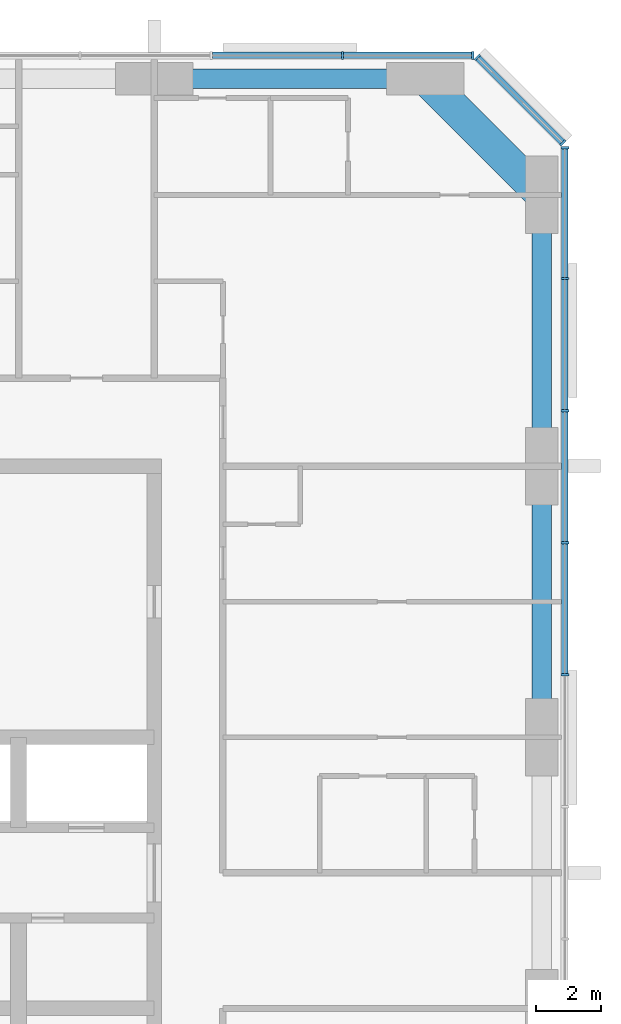
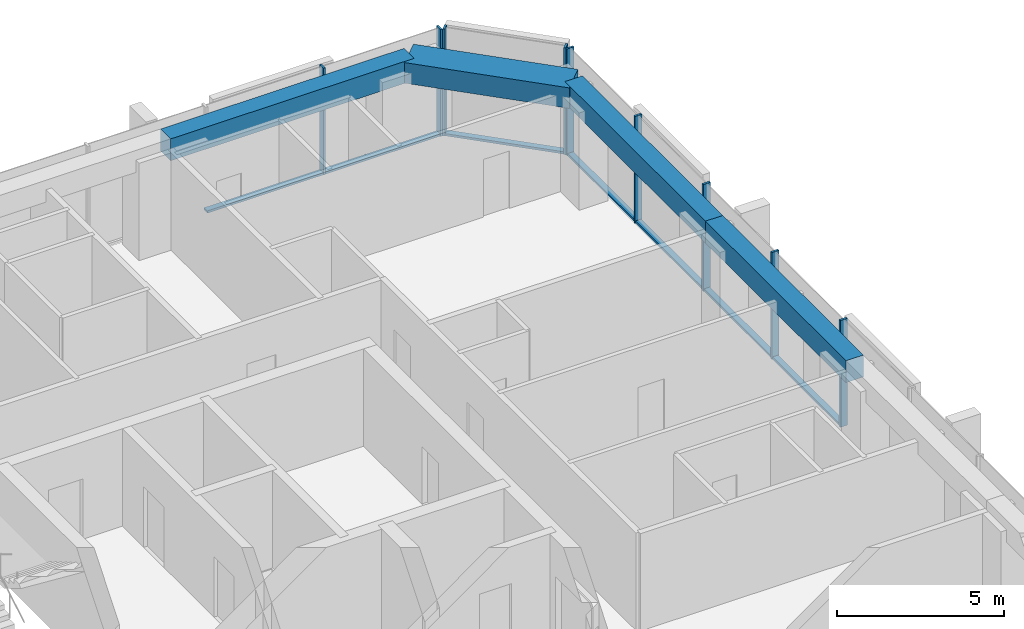
# One storey, part 5 of 12: 16 members, 4 beams, 3 elements without a shape of their own.
"""IFC4 building model written with IfcOpenShell, lengths in metres."""

from ifc_helpers import new_model, si_unit, direction, frame, origin, origin_2d, place, context, subcontext, project, spatial, rectangle, extrude, material, material_profile, profile_set, type_object, element, aggregate, save


model = new_model("IFC4")

# Units and contexts
model_context = context("Model", 3, precision=1e-05, world=origin(), true_north=direction((0.0, 1.0)))
body_context = subcontext(model_context, "Body", "Model", "MODEL_VIEW")
ifc_project = project(units=[si_unit("LENGTHUNIT", "METRE"), si_unit("AREAUNIT", "SQUARE_METRE"), si_unit("VOLUMEUNIT", "CUBIC_METRE"), si_unit("PLANEANGLEUNIT", "RADIAN"), si_unit("MASSUNIT", "GRAM", prefix="KILO")], contexts=[model_context])

# Site, building, storey
site_placement = place(None, origin())
site = spatial("IfcSite", under=ifc_project, at=site_placement, CompositionType="ELEMENT")
building_placement = place(site_placement, origin())
building = spatial("IfcBuilding", under=site, at=building_placement, Name="Dunama Terrace Hotel", CompositionType="ELEMENT")
storey_placement = place(building_placement, frame((0.0, 0.0, 249.0)))
storey = spatial("IfcBuildingStorey", under=building, at=storey_placement, Name="L64", CompositionType="ELEMENT", Elevation=249.0)

# Curtain wall, members
ifc_material_1 = material(Name="Aluminium curtain wall system", Category="aluminium")
curtain_wall_type = type_object("IfcCurtainWallType", Name="Unitised fritted glass wall CW-D", PredefinedType="NOTDEFINED", material=ifc_material_1)
curtain_wall_1_placement = place(storey_placement, origin())
curtain_wall_1 = element("IfcCurtainWall", 1, at=curtain_wall_1_placement, inside=storey, type_object=curtain_wall_type, Name="Unitised fritted glass wall CW-D L64", PredefinedType="NOTDEFINED")
ifc_material_2 = material(Name="Aluminium mullion", Category="aluminium")
ifc_material_profile_1 = material_profile(ifc_material_2, rectangle(XDim=0.070068359375, YDim=0.239990234375, at=origin_2d()), Name="CWD MULLION 70X240")
ifc_profile_set_1 = profile_set([ifc_material_profile_1], Name="Aluminium mullion")
member_type_1 = type_object("IfcMemberType", Name="CWD mullion 70x240", PredefinedType="MULLION", material=ifc_profile_set_1)
member_1_placement = place(storey_placement, frame((54.719970703125, 35.535888671875, 0.0), z_axis=(0.0, 0.0, 1.0), x_axis=(0.0, 1.0, 0.0)))
member_1 = element("IfcMember", 2, at=member_1_placement, type_object=member_type_1, Name="CWD mullion", PredefinedType="MULLION", context=body_context, shape_type="SweptSolid", body=[
    extrude(rectangle(XDim=0.070068359375, YDim=0.239990234375, at=origin_2d()), origin(), (0.0, 0.0, 1.0), 3.89990234375),
])
member_2_placement = place(storey_placement, frame((54.719970703125, 39.626953125, 0.0), z_axis=(0.0, 0.0, 1.0), x_axis=(0.0, 1.0, 0.0)))
member_2 = element("IfcMember", 3, at=member_2_placement, type_object=member_type_1, Name="CWD mullion", PredefinedType="MULLION", context=body_context, shape_type="SweptSolid", body=[
    extrude(rectangle(XDim=0.070068359375, YDim=0.239990234375, at=origin_2d()), origin(), (0.0, 0.0, 1.0), 3.89990234375),
])
member_3_placement = place(storey_placement, frame((54.719970703125, 43.718017578125, 0.0), z_axis=(0.0, 0.0, 1.0), x_axis=(0.0, 1.0, 0.0)))
member_3 = element("IfcMember", 4, at=member_3_placement, type_object=member_type_1, Name="CWD mullion", PredefinedType="MULLION", context=body_context, shape_type="SweptSolid", body=[
    extrude(rectangle(XDim=0.070068359375, YDim=0.239990234375, at=origin_2d()), origin(), (0.0, 0.0, 1.0), 3.89990234375),
])
member_4_placement = place(storey_placement, frame((54.719970703125, 47.80908203125, 0.0), z_axis=(0.0, 0.0, 1.0), x_axis=(0.0, 1.0, 0.0)))
member_4 = element("IfcMember", 5, at=member_4_placement, type_object=member_type_1, Name="CWD mullion", PredefinedType="MULLION", context=body_context, shape_type="SweptSolid", body=[
    extrude(rectangle(XDim=0.070068359375, YDim=0.239990234375, at=origin_2d()), origin(), (0.0, 0.0, 1.0), 3.89990234375),
])
member_5_placement = place(storey_placement, frame((54.719970703125, 51.864990234375, 0.0), z_axis=(0.0, 0.0, 1.0), x_axis=(0.0, 1.0, 0.0)))
member_5 = element("IfcMember", 6, at=member_5_placement, type_object=member_type_1, Name="CWD mullion", PredefinedType="MULLION", context=body_context, shape_type="SweptSolid", body=[
    extrude(rectangle(XDim=0.070068359375, YDim=0.239990234375, at=origin_2d()), origin(), (0.0, 0.0, 1.0), 3.89990234375),
])

curtain_wall_2_placement = place(storey_placement, origin())
curtain_wall_2 = element("IfcCurtainWall", 7, at=curtain_wall_2_placement, inside=storey, type_object=curtain_wall_type, Name="Unitised fritted glass wall CW-D L64", PredefinedType="NOTDEFINED")
member_6_placement = place(storey_placement, frame((54.659912109375, 52.010009765625, 0.0), z_axis=(0.0, 0.0, 1.0), x_axis=(-0.707106781187, 0.707106781187, 0.0)))
member_6 = element("IfcMember", 8, at=member_6_placement, type_object=member_type_1, Name="CWD mullion", PredefinedType="MULLION", context=body_context, shape_type="SweptSolid", body=[
    extrude(rectangle(XDim=0.070068359375, YDim=0.239990234375, at=origin_2d()), origin(), (0.0, 0.0, 1.0), 3.89990234375),
])
member_7_placement = place(storey_placement, frame((52.010009765625, 54.659912109375, 0.0), z_axis=(0.0, 0.0, 1.0), x_axis=(-0.707106781187, 0.707106781187, 0.0)))
member_7 = element("IfcMember", 9, at=member_7_placement, type_object=member_type_1, Name="CWD mullion", PredefinedType="MULLION", context=body_context, shape_type="SweptSolid", body=[
    extrude(rectangle(XDim=0.070068359375, YDim=0.239990234375, at=origin_2d()), origin(), (0.0, 0.0, 1.0), 3.89990234375),
])

curtain_wall_3_placement = place(storey_placement, origin())
curtain_wall_3 = element("IfcCurtainWall", 10, at=curtain_wall_3_placement, inside=storey, type_object=curtain_wall_type, Name="Unitised fritted glass wall CW-D L64", PredefinedType="NOTDEFINED")
member_8_placement = place(storey_placement, frame((51.864990234375, 54.719970703125, 0.0), z_axis=(0.0, 0.0, 1.0), x_axis=(-1.0, 0.0, 0.0)))
member_8 = element("IfcMember", 11, at=member_8_placement, type_object=member_type_1, Name="CWD mullion", PredefinedType="MULLION", context=body_context, shape_type="SweptSolid", body=[
    extrude(rectangle(XDim=0.070068359375, YDim=0.239990234375, at=origin_2d()), origin(), (0.0, 0.0, 1.0), 3.89990234375),
])
member_9_placement = place(storey_placement, frame((47.8330078125, 54.719970703125, 0.0), z_axis=(0.0, 0.0, 1.0), x_axis=(-1.0, 0.0, 0.0)))
member_9 = element("IfcMember", 12, at=member_9_placement, type_object=member_type_1, Name="CWD mullion", PredefinedType="MULLION", context=body_context, shape_type="SweptSolid", body=[
    extrude(rectangle(XDim=0.070068359375, YDim=0.239990234375, at=origin_2d()), origin(), (0.0, 0.0, 1.0), 3.89990234375),
])

# Member
ifc_material_3 = material(Name="Aluminium transom", Category="aluminium")
ifc_material_profile_2 = material_profile(ifc_material_3, rectangle(XDim=0.199951171875, YDim=0.0849609375, at=origin_2d()), Name="CWD TRANSOM 200X85")
ifc_profile_set_2 = profile_set([ifc_material_profile_2], Name="Aluminium transom")
member_type_2 = type_object("IfcMemberType", Name="CWD transom 200x85", PredefinedType="USERDEFINED", material=ifc_profile_set_2)
member_10_placement = place(storey_placement, frame((54.719970703125, 35.571044921875, 0.04248046875), z_axis=(0.0, 1.0, 0.0), x_axis=(-1.0, 0.0, 0.0)))
member_10 = element("IfcMember", 13, at=member_10_placement, type_object=member_type_2, Name="CWD transom", ObjectType="TRANSOM", PredefinedType="USERDEFINED", context=body_context, shape_type="SweptSolid", body=[
    extrude(rectangle(XDim=0.199951171875, YDim=0.0849609375, at=origin_2d()), origin(), (0.0, 0.0, 1.0), 4.02099609375),
])

member_11_placement = place(storey_placement, frame((54.719970703125, 39.662109375, 0.04248046875), z_axis=(0.0, 1.0, 0.0), x_axis=(-1.0, 0.0, 0.0)))
member_11 = element("IfcMember", 14, at=member_11_placement, type_object=member_type_2, Name="CWD transom", ObjectType="TRANSOM", PredefinedType="USERDEFINED", context=body_context, shape_type="SweptSolid", body=[
    extrude(rectangle(XDim=0.199951171875, YDim=0.0849609375, at=origin_2d()), origin(), (0.0, 0.0, 1.0), 4.02099609375),
])

member_12_placement = place(storey_placement, frame((54.719970703125, 43.7529296875, 0.04248046875), z_axis=(0.0, 1.0, 0.0), x_axis=(-1.0, 0.0, 0.0)))
member_12 = element("IfcMember", 15, at=member_12_placement, type_object=member_type_2, Name="CWD transom", ObjectType="TRANSOM", PredefinedType="USERDEFINED", context=body_context, shape_type="SweptSolid", body=[
    extrude(rectangle(XDim=0.199951171875, YDim=0.0849609375, at=origin_2d()), origin(), (0.0, 0.0, 1.0), 4.02099609375),
])

member_13_placement = place(storey_placement, frame((54.719970703125, 47.843994140625, 0.04248046875), z_axis=(0.0, 1.0, 0.0), x_axis=(-1.0, 0.0, 0.0)))
member_13 = element("IfcMember", 16, at=member_13_placement, type_object=member_type_2, Name="CWD transom", ObjectType="TRANSOM", PredefinedType="USERDEFINED", context=body_context, shape_type="SweptSolid", body=[
    extrude(rectangle(XDim=0.199951171875, YDim=0.0849609375, at=origin_2d()), origin(), (0.0, 0.0, 1.0), 3.986083984375),
])

aggregate(curtain_wall_1, [member_1, member_2, member_3, member_4, member_5, member_10, member_11, member_12, member_13])

member_14_placement = place(storey_placement, frame((54.635009765625, 52.033935546875, 0.04248046875), z_axis=(-0.707106781187, 0.707106781187, 0.0), x_axis=(-0.707106781187, -0.707106781187, 0.0)))
member_14 = element("IfcMember", 17, at=member_14_placement, type_object=member_type_2, Name="CWD transom", ObjectType="TRANSOM", PredefinedType="USERDEFINED", context=body_context, shape_type="SweptSolid", body=[
    extrude(rectangle(XDim=0.199951171875, YDim=0.0849609375, at=origin_2d()), origin(), (0.0, 0.0, 1.0), 3.678466796875),
])

aggregate(curtain_wall_2, [member_6, member_7, member_14])

member_15_placement = place(storey_placement, frame((51.830078125, 54.719970703125, 0.04248046875), z_axis=(-1.0, 0.0, 0.0), x_axis=(0.0, -1.0, 0.0)))
member_15 = element("IfcMember", 18, at=member_15_placement, type_object=member_type_2, Name="CWD transom", ObjectType="TRANSOM", PredefinedType="USERDEFINED", context=body_context, shape_type="SweptSolid", body=[
    extrude(rectangle(XDim=0.199951171875, YDim=0.0849609375, at=origin_2d()), origin(), (0.0, 0.0, 1.0), 3.962158203125),
])

member_16_placement = place(storey_placement, frame((47.798095703125, 54.719970703125, 0.04248046875), z_axis=(-1.0, 0.0, 0.0), x_axis=(0.0, -1.0, 0.0)))
member_16 = element("IfcMember", 19, at=member_16_placement, type_object=member_type_2, Name="CWD transom", ObjectType="TRANSOM", PredefinedType="USERDEFINED", context=body_context, shape_type="SweptSolid", body=[
    extrude(rectangle(XDim=0.199951171875, YDim=0.0849609375, at=origin_2d()), origin(), (0.0, 0.0, 1.0), 3.99609375),
])

aggregate(curtain_wall_3, [member_8, member_9, member_15, member_16])

# Beams
ifc_material_4 = material(Name="Concrete C50/60", Category="concrete")
ifc_material_profile_3 = material_profile(ifc_material_4, rectangle(XDim=1.0, YDim=0.75, at=origin_2d()), Name="RC 1000x750")
ifc_profile_set_3 = profile_set([ifc_material_profile_3], Name="Concrete C50/60")
beam_type_1 = type_object("IfcBeamType", Name="Edge beam RC 1000x750", PredefinedType="SPANDREL", material=ifc_profile_set_3)
beam_placement = place(storey_placement, frame((50.39990234375, 54.0, 3.52490234375), z_axis=(0.707106781187, -0.707106781187, 0.0), x_axis=(0.707106781187, 0.707106781187, 0.0)))
element("IfcBeam", 20, at=beam_placement, inside=storey, type_object=beam_type_1, Name="Corner edge beam under L65", PredefinedType="SPANDREL", context=body_context, shape_type="SweptSolid", body=[
    extrude(rectangle(XDim=1.0, YDim=0.75, at=origin_2d()), origin(), (0.0, 0.0, 1.0), 5.09130859375),
])
ifc_material_5 = material(Name="Concrete C40/50", Category="concrete")
ifc_material_profile_4 = material_profile(ifc_material_5, rectangle(XDim=0.60009765625, YDim=0.800048828125, at=origin_2d()), Name="RC 600x800")
ifc_profile_set_4 = profile_set([ifc_material_profile_4], Name="Concrete C40/50")
beam_type_2 = type_object("IfcBeamType", Name="Edge beam RC 600x800", PredefinedType="SPANDREL", material=ifc_profile_set_4)
for number, where, z_axis, x_axis, name in (
    (21, (54.0, 33.60009765625, 3.5), (0.0, 1.0, 0.0), (-1.0, 0.0, 0.0), "Edge beam under L65"),
    (22, (54.0, 42.0, 3.5), (0.0, 1.0, 0.0), (-1.0, 0.0, 0.0), "Edge beam under L65"),
    (23, (42.0, 54.0, 3.5), (1.0, 0.0, 0.0), (0.0, 1.0, 0.0), "Edge beam under L65"),
):
    element("IfcBeam", number, at=place(storey_placement, frame(where, z_axis=z_axis, x_axis=x_axis)), inside=storey, type_object=beam_type_2, Name=name, PredefinedType="SPANDREL", context=body_context, shape_type="SweptSolid", body=[
        extrude(rectangle(XDim=0.60009765625, YDim=0.800048828125, at=origin_2d()), origin(), (0.0, 0.0, 1.0), 8.39990234375),
    ])

save(model, "model.ifc")
